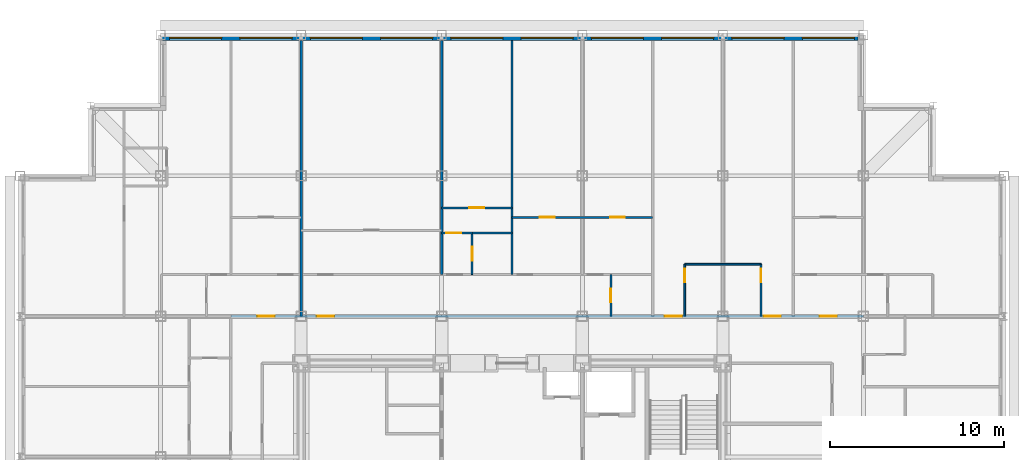
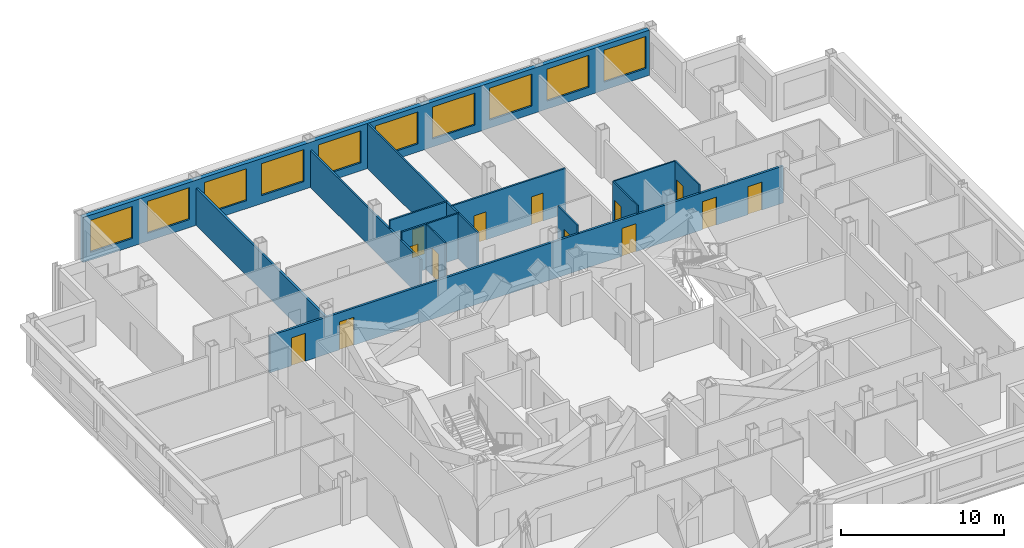
# One storey, part 10 of 12: 14 walls, 13 doors, 10 windows, 23 openings.
"""IFC4 building model written with IfcOpenShell, lengths in metres."""

import ifcopenshell
import ifcopenshell.guid

model = None  # the IFC model being written
_history = None  # IfcOwnerHistory: only IFC2X3 demands one
_inside = {}  # id of a spatial element -> (the spatial element, [elements in it])
_under = {}  # id of a project, library or spatial element -> (it, [spatial elements below it])
_declared = {}  # id of a project -> (the project, [libraries it declares])
_typed = {}  # id of a type object -> (the type object, [elements of that type])
_made_of = {}  # id of a material, layer set ... -> (it, [elements and type objects made of it])


def new_model(schema):
    """Start an empty IFC model of exactly this schema.

    Asked for "IFC4X3", IfcOpenShell would pick the latest addendum, in which some entities
    have other attributes; the version numbers below select the first issue.
    IFC2X3 requires an IfcOwnerHistory on every rooted entity: one is made here for all.
    """
    global model, _history
    if schema == "IFC4X3":
        model = ifcopenshell.file(schema_version=(4, 3, 0, 0))
    else:
        model = ifcopenshell.file(schema=schema)
    _inside.clear()
    _under.clear()
    _declared.clear()
    _typed.clear()
    _made_of.clear()
    _history = None
    if model.schema == "IFC2X3":
        org = make("IfcOrganization", Name="unknown")
        user = make(
            "IfcPersonAndOrganization",
            ThePerson=make("IfcPerson", FamilyName="unknown"),
            TheOrganization=org,
        )
        app = make(
            "IfcApplication",
            ApplicationDeveloper=org,
            Version="unknown",
            ApplicationFullName="unknown",
            ApplicationIdentifier="unknown",
        )
        _history = make(
            "IfcOwnerHistory",
            OwningUser=user,
            OwningApplication=app,
            ChangeAction="ADDED",
            CreationDate=0,
        )
    return model


def make(cls, **values):
    """One entity of the class cls with the attributes given. An attribute that is None is left unset."""
    return model.create_entity(
        cls, **{name: value for name, value in values.items() if value is not None}
    )


def rooted(cls, **values):
    """An entity with a GlobalId (a new one), such as an element, a storey or a relation."""
    return make(cls, GlobalId=ifcopenshell.guid.new(), OwnerHistory=_history, **values)


def si_unit(unit_type, name, prefix=None):
    """IfcSIUnit, for example si_unit("LENGTHUNIT", "METRE", prefix="MILLI")."""
    return make("IfcSIUnit", UnitType=unit_type, Prefix=prefix, Name=name)


def assignment(units):
    """IfcUnitAssignment: the units of a project."""
    return None if units is None else make("IfcUnitAssignment", Units=units)


def point(xyz):
    """IfcCartesianPoint."""
    return None if xyz is None else make("IfcCartesianPoint", Coordinates=xyz)


def direction(xyz):
    """IfcDirection."""
    return None if xyz is None else make("IfcDirection", DirectionRatios=xyz)


def frame(location, z_axis=None, x_axis=None):
    """IfcAxis2Placement3D, a coordinate frame: its origin and axes. An axis left out is left unset."""
    return make(
        "IfcAxis2Placement3D",
        Location=point(location),
        Axis=direction(z_axis),
        RefDirection=direction(x_axis),
    )


def frame_2d(location, x_axis=None):
    """IfcAxis2Placement2D, a coordinate frame in the plane: its origin and x axis."""
    return make(
        "IfcAxis2Placement2D", Location=point(location), RefDirection=direction(x_axis)
    )


def origin():
    """The frame at (0, 0, 0) with its axes left unset."""
    return frame((0.0, 0.0, 0.0))


def place(relative_to, where):
    """IfcLocalPlacement: puts the frame where relative to a parent placement (None: the world)."""
    return make(
        "IfcLocalPlacement", PlacementRelTo=relative_to, RelativePlacement=where
    )


def context(
    kind, dimensions, precision=None, world=None, true_north=None, identifier=None
):
    """IfcGeometricRepresentationContext, for example the 3D "Model" context."""
    return make(
        "IfcGeometricRepresentationContext",
        ContextIdentifier=identifier,
        ContextType=kind,
        CoordinateSpaceDimension=dimensions,
        Precision=precision,
        WorldCoordinateSystem=world,
        TrueNorth=true_north,
    )


def subcontext(parent, identifier, kind, view, scale=None):
    """IfcGeometricRepresentationSubContext, for example "Body" below "Model"."""
    return make(
        "IfcGeometricRepresentationSubContext",
        ContextIdentifier=identifier,
        ContextType=kind,
        ParentContext=parent,
        TargetScale=scale,
        TargetView=view,
    )


def project(units=None, contexts=None):
    """IfcProject with its units and contexts."""
    return rooted(
        "IfcProject",
        Name="project",
        RepresentationContexts=contexts,
        UnitsInContext=assignment(units),
    )


def spatial(cls, under=None, at=None, **own):
    """A site, building, storey or space (cls), placed at a placement, below another one or the project."""
    s = rooted(cls, ObjectPlacement=at, **own)
    if under is not None:
        _under.setdefault(under.id(), (under, []))[1].append(s)
    return s


def profile(cls, at=None, kind="AREA", **sizes):
    """A parametric profile (cls). Its sizes go by their IFC names, for example OverallWidth=200.0."""
    return make(cls, ProfileType=kind, Position=at, **sizes)


def rectangle(**sizes):
    """IfcRectangleProfileDef."""
    return profile("IfcRectangleProfileDef", **sizes)


def extrude(swept, where, along, depth):
    """IfcExtrudedAreaSolid: the profile swept, set in the frame where, extruded along a direction by depth."""
    return make(
        "IfcExtrudedAreaSolid",
        SweptArea=swept,
        Position=where,
        ExtrudedDirection=direction(along),
        Depth=depth,
    )


def shape(context_of_items, identifier, shape_type, items):
    """IfcShapeRepresentation: the items that make up one representation, for example the "Body"."""
    return make(
        "IfcShapeRepresentation",
        ContextOfItems=context_of_items,
        RepresentationIdentifier=identifier,
        RepresentationType=shape_type,
        Items=items,
    )


def material(Name=None, Category=None):
    """IfcMaterial."""
    return make("IfcMaterial", Name=Name, Category=Category)


def layer(
    of_material, thickness, ventilated=None, Name=None, Category=None, Priority=None
):
    """IfcMaterialLayer: one layer of a wall or slab, of a material (None: an air gap)."""
    return make(
        "IfcMaterialLayer",
        Material=of_material,
        LayerThickness=thickness,
        IsVentilated=ventilated,
        Name=Name,
        Category=Category,
        Priority=Priority,
    )


def layer_set(layers, Name=None):
    """IfcMaterialLayerSet."""
    return make("IfcMaterialLayerSet", MaterialLayers=layers, LayerSetName=Name)


def made_of(thing, what):
    """Note that an element or type object is made of a material, layer set ...; save() writes the relation."""
    if what is not None:
        _made_of.setdefault(what.id(), (what, []))[1].append(thing)
    return thing


def type_object(cls, material=None, **own):
    """A type object (cls), such as IfcWallType, which elements share."""
    return made_of(rooted(cls, **own), material)


def element(
    cls,
    number,
    at=None,
    inside=None,
    cuts=None,
    type_object=None,
    material=None,
    context=None,
    identifier="Body",
    shape_type=None,
    held_by="IfcProductDefinitionShape",
    body=None,
    shapes=None,
    **own,
):
    """One element of the class cls, such as IfcWall. Its Tag is "e" and its number.

    at: its placement. inside: the storey or other place that contains it. cuts: it is an
    opening in that element (IfcRelVoidsElement). A single representation is given by context,
    identifier, shape_type and body (its items); several are given by shapes. held_by: the class
    of the entity that holds the representations. save() writes the other relations.
    """
    e = rooted(cls, Tag="e%d" % number, ObjectPlacement=at, **own)
    if body is not None:
        shapes = [shape(context, identifier, shape_type, body)]
    if shapes is not None:
        e.Representation = make(held_by, Representations=shapes)
    if inside is not None:
        _inside.setdefault(inside.id(), (inside, []))[1].append(e)
    if cuts is not None:
        rooted(
            "IfcRelVoidsElement", RelatingBuildingElement=cuts, RelatedOpeningElement=e
        )
    if type_object is not None:
        _typed.setdefault(type_object.id(), (type_object, []))[1].append(e)
    return made_of(e, material)


def fill(opening, filler):
    """IfcRelFillsElement: the door or window that sits in an opening."""
    return rooted(
        "IfcRelFillsElement",
        RelatingOpeningElement=opening,
        RelatedBuildingElement=filler,
    )


def aggregate(whole, parts):
    """IfcRelAggregates: a whole, such as a stair, and the parts it consists of."""
    return rooted("IfcRelAggregates", RelatingObject=whole, RelatedObjects=parts)


def save(model, path):
    """Write the relations noted so far, then the file.

    IfcRelAggregates (storeys below a building ...), IfcRelContainedInSpatialStructure (elements
    in a storey), IfcRelDefinesByType, IfcRelAssociatesMaterial and IfcRelDeclares: one each for
    every whole, place, type object, material and project.
    """
    for whole, parts in _under.values():
        aggregate(whole, parts)
    for where, things in _inside.values():
        rooted(
            "IfcRelContainedInSpatialStructure",
            RelatedElements=things,
            RelatingStructure=where,
        )
    for kind, things in _typed.values():
        rooted("IfcRelDefinesByType", RelatedObjects=things, RelatingType=kind)
    for what, things in _made_of.values():
        rooted("IfcRelAssociatesMaterial", RelatedObjects=things, RelatingMaterial=what)
    for by, libraries in _declared.values():
        rooted("IfcRelDeclares", RelatingContext=by, RelatedDefinitions=libraries)
    model.write(path)


model = new_model("IFC4")

# Units and contexts
model_context = context("Model", 3, precision=1e-05, world=origin(), true_north=direction((0.0, 1.0)))
body_context = subcontext(model_context, "Body", "Model", "MODEL_VIEW")
ifc_project = project(units=[si_unit("LENGTHUNIT", "METRE"), si_unit("AREAUNIT", "SQUARE_METRE"), si_unit("VOLUMEUNIT", "CUBIC_METRE"), si_unit("PLANEANGLEUNIT", "RADIAN"), si_unit("MASSUNIT", "GRAM", prefix="KILO")], contexts=[model_context])

# Site, building, storey
site_placement = place(None, origin())
site = spatial("IfcSite", under=ifc_project, at=site_placement, CompositionType="ELEMENT")
building_placement = place(site_placement, origin())
building = spatial("IfcBuilding", under=site, at=building_placement, Name="Kopane Lantern Tower", CompositionType="ELEMENT")
storey_placement = place(building_placement, frame((0.0, 0.0, 217.199951171875)))
storey = spatial("IfcBuildingStorey", under=building, at=storey_placement, Name="L56", CompositionType="ELEMENT", Elevation=217.199951171875)

# Walls
ifc_material_1 = material(Name="Gypsum board on steel studs", Category="steel")
ifc_layer_1 = layer(ifc_material_1, 0.1201171875)
ifc_layer_set_1 = layer_set([ifc_layer_1], Name="APARTMENT INTERNAL WALL 120")
wall_type_1 = type_object("IfcWallType", Name="APARTMENT INTERNAL WALL 120", PredefinedType="PARTITIONING", material=ifc_layer_set_1)
wall_1_placement = place(storey_placement, frame((24.300048828125, 45.60009765625, 0.0), z_axis=(0.0, 0.0, 1.0), x_axis=(0.0, 1.0, 0.0)))
element("IfcWall", 1, at=wall_1_placement, inside=storey, type_object=wall_type_1, Name="Apartment Internal Wall 120 L56", PredefinedType="PARTITIONING", context=body_context, shape_type="SweptSolid", body=[
    extrude(rectangle(XDim=13.5, YDim=0.1201171875, at=frame_2d((6.75, 0.0))), origin(), (0.0, 0.0, 1.0), 2.77783203125),
])
wall_2_placement = place(storey_placement, frame((28.35009765625, 45.60009765625, 0.0), z_axis=(0.0, 0.0, 1.0), x_axis=(0.0, 1.0, 0.0)))
element("IfcWall", 2, at=wall_2_placement, inside=storey, type_object=wall_type_1, Name="Apartment Internal Wall 120 L56", PredefinedType="PARTITIONING", context=body_context, shape_type="SweptSolid", body=[
    extrude(rectangle(XDim=13.5, YDim=0.1201171875, at=frame_2d((6.75, 0.0))), origin(), (0.0, 0.0, 1.0), 3.39013671875),
])

# Wall, opening, door
wall_3_placement = place(storey_placement, frame((24.300048828125, 48.0, 0.0), z_axis=(0.0, 0.0, 1.0), x_axis=(1.0, 0.0, 0.0)))
wall_3 = element("IfcWall", 3, at=wall_3_placement, inside=storey, type_object=wall_type_1, Name="Apartment Internal Wall 120 L56", PredefinedType="PARTITIONING", context=body_context, shape_type="SweptSolid", body=[
    extrude(rectangle(XDim=1.760009765625, YDim=0.1201171875, at=frame_2d((0.8798828125, 0.0))), origin(), (0.0, 0.0, 1.0), 3.39013671875),
])
opening_1_placement = place(wall_3_placement, frame((0.27490234375, 0.0, 0.0)))
opening_1 = element("IfcOpeningElement", 4, at=opening_1_placement, cuts=wall_3, Name="Opening L56-070", PredefinedType="OPENING", context=body_context, shape_type="SweptSolid", body=[
    extrude(rectangle(XDim=0.85009765625, YDim=2.10009765625, at=frame_2d((0.425048828125, 1.050048828125))), frame((0.0, 0.070068359375, 0.0), z_axis=(0.0, -1.0, 0.0), x_axis=(1.0, 0.0, 0.0)), (0.0, 0.0, 1.0), 0.14013671875),
])
ifc_material_2 = material(Name="Timber door set", Category="wood")
door_type_1 = type_object("IfcDoorType", Name="DOOR D4 850x2100", OperationType="SINGLE_SWING_LEFT", PredefinedType="DOOR", material=ifc_material_2)
door_1_placement = place(opening_1_placement, origin())
door_1 = element("IfcDoor", 5, at=door_1_placement, inside=storey, type_object=door_type_1, Name="Door L56-070", OperationType="SINGLE_SWING_LEFT", OverallHeight=2.10009765625, OverallWidth=0.85009765625, PredefinedType="DOOR", context=body_context, shape_type="SweptSolid", body=[
    extrude(rectangle(XDim=0.85009765625, YDim=2.10009765625, at=frame_2d((0.425048828125, 1.050048828125))), frame((0.0, 0.02490234375, 0.0), z_axis=(0.0, -1.0, 0.0), x_axis=(1.0, 0.0, 0.0)), (0.0, 0.0, 1.0), 0.050048828125),
])
fill(opening_1, door_1)

wall_4_placement = place(storey_placement, frame((24.300048828125, 49.449951171875, 0.0), z_axis=(0.0, 0.0, 1.0), x_axis=(1.0, 0.0, 0.0)))
wall_4 = element("IfcWall", 6, at=wall_4_placement, inside=storey, type_object=wall_type_1, Name="Apartment Internal Wall 120 L56", PredefinedType="PARTITIONING", context=body_context, shape_type="SweptSolid", body=[
    extrude(rectangle(XDim=4.050048828125, YDim=0.1201171875, at=frame_2d((2.02490234375, 0.0))), origin(), (0.0, 0.0, 1.0), 3.39013671875),
])
opening_2_placement = place(wall_4_placement, frame((1.60009765625, 0.0, 0.0)))
opening_2 = element("IfcOpeningElement", 7, at=opening_2_placement, cuts=wall_4, Name="Opening L56-074", PredefinedType="OPENING", context=body_context, shape_type="SweptSolid", body=[
    extrude(rectangle(XDim=0.85009765625, YDim=2.10009765625, at=frame_2d((0.425048828125, 1.050048828125))), frame((0.0, 0.070068359375, 0.0), z_axis=(0.0, -1.0, 0.0), x_axis=(1.0, 0.0, 0.0)), (0.0, 0.0, 1.0), 0.14013671875),
])
door_2_placement = place(opening_2_placement, origin())
door_2 = element("IfcDoor", 8, at=door_2_placement, inside=storey, type_object=door_type_1, Name="Door L56-074", OperationType="SINGLE_SWING_RIGHT", OverallHeight=2.10009765625, OverallWidth=0.85009765625, PredefinedType="DOOR", context=body_context, shape_type="SweptSolid", body=[
    extrude(rectangle(XDim=0.85009765625, YDim=2.10009765625, at=frame_2d((0.425048828125, 1.050048828125))), frame((0.0, 0.02490234375, 0.0), z_axis=(0.0, -1.0, 0.0), x_axis=(1.0, 0.0, 0.0)), (0.0, 0.0, 1.0), 0.050048828125),
])
fill(opening_2, door_2)

# Wall, openings, doors
wall_5_placement = place(storey_placement, frame((28.35009765625, 48.89990234375, 0.0), z_axis=(0.0, 0.0, 1.0), x_axis=(1.0, 0.0, 0.0)))
wall_5 = element("IfcWall", 9, at=wall_5_placement, inside=storey, type_object=wall_type_1, Name="Apartment Internal Wall 120 L56", PredefinedType="PARTITIONING", context=body_context, shape_type="SweptSolid", body=[
    extrude(rectangle(XDim=8.099853515625, YDim=0.1201171875, at=frame_2d((4.0498046875, 0.0))), origin(), (0.0, 0.0, 1.0), 3.39013671875),
])
opening_3_placement = place(wall_5_placement, frame((1.60009765625, 0.0, 0.0)))
opening_3 = element("IfcOpeningElement", 10, at=opening_3_placement, cuts=wall_5, Name="Opening L56-075", PredefinedType="OPENING", context=body_context, shape_type="SweptSolid", body=[
    extrude(rectangle(XDim=0.85009765625, YDim=2.10009765625, at=frame_2d((0.425048828125, 1.050048828125))), frame((0.0, 0.070068359375, 0.0), z_axis=(0.0, -1.0, 0.0), x_axis=(1.0, 0.0, 0.0)), (0.0, 0.0, 1.0), 0.14013671875),
])
opening_4_placement = place(wall_5_placement, frame((5.64990234375, 0.0, 0.0)))
opening_4 = element("IfcOpeningElement", 11, at=opening_4_placement, cuts=wall_5, Name="Opening L56-076", PredefinedType="OPENING", context=body_context, shape_type="SweptSolid", body=[
    extrude(rectangle(XDim=0.85009765625, YDim=2.10009765625, at=frame_2d((0.425048828125, 1.050048828125))), frame((0.0, 0.070068359375, 0.0), z_axis=(0.0, -1.0, 0.0), x_axis=(1.0, 0.0, 0.0)), (0.0, 0.0, 1.0), 0.14013671875),
])
door_3_placement = place(opening_3_placement, origin())
door_3 = element("IfcDoor", 12, at=door_3_placement, inside=storey, type_object=door_type_1, Name="Door L56-075", OperationType="SINGLE_SWING_RIGHT", OverallHeight=2.10009765625, OverallWidth=0.85009765625, PredefinedType="DOOR", context=body_context, shape_type="SweptSolid", body=[
    extrude(rectangle(XDim=0.85009765625, YDim=2.10009765625, at=frame_2d((0.425048828125, 1.050048828125))), frame((0.0, 0.02490234375, 0.0), z_axis=(0.0, -1.0, 0.0), x_axis=(1.0, 0.0, 0.0)), (0.0, 0.0, 1.0), 0.050048828125),
])
fill(opening_3, door_3)
door_4_placement = place(opening_4_placement, origin())
door_4 = element("IfcDoor", 13, at=door_4_placement, inside=storey, type_object=door_type_1, Name="Door L56-076", OperationType="SINGLE_SWING_LEFT", OverallHeight=2.10009765625, OverallWidth=0.85009765625, PredefinedType="DOOR", context=body_context, shape_type="SweptSolid", body=[
    extrude(rectangle(XDim=0.85009765625, YDim=2.10009765625, at=frame_2d((0.425048828125, 1.050048828125))), frame((0.0, 0.02490234375, 0.0), z_axis=(0.0, -1.0, 0.0), x_axis=(1.0, 0.0, 0.0)), (0.0, 0.0, 1.0), 0.050048828125),
])
fill(opening_4, door_4)

# Wall, opening, door
ifc_material_3 = material(Name="Moisture-resistant board on steel studs", Category="steel")
ifc_layer_2 = layer(ifc_material_3, 0.10009765625)
ifc_layer_set_2 = layer_set([ifc_layer_2], Name="BATHROOM WALL 100")
wall_type_2 = type_object("IfcWallType", Name="BATHROOM WALL 100", PredefinedType="PARTITIONING", material=ifc_layer_set_2)
wall_6_placement = place(storey_placement, frame((34.050048828125, 43.199951171875, 0.0), z_axis=(0.0, 0.0, 1.0), x_axis=(0.0, 1.0, 0.0)))
wall_6 = element("IfcWall", 14, at=wall_6_placement, inside=storey, type_object=wall_type_2, Name="Bathroom Wall 100 L56", PredefinedType="PARTITIONING", context=body_context, shape_type="SweptSolid", body=[
    extrude(rectangle(XDim=2.400146484375, YDim=0.10009765625, at=frame_2d((1.2001953125, 0.0))), origin(), (0.0, 0.0, 1.0), 3.39013671875),
])
opening_5_placement = place(wall_6_placement, frame((0.800048828125, 0.0, 0.0)))
opening_5 = element("IfcOpeningElement", 15, at=opening_5_placement, cuts=wall_6, Name="Opening L56-024", PredefinedType="OPENING", context=body_context, shape_type="SweptSolid", body=[
    extrude(rectangle(XDim=0.800048828125, YDim=2.10009765625, at=frame_2d((0.39990234375, 1.050048828125))), frame((0.0, 0.06005859375, 0.0), z_axis=(0.0, -1.0, 0.0), x_axis=(1.0, 0.0, 0.0)), (0.0, 0.0, 1.0), 0.1201171875),
])
ifc_material_4 = material(Name="Timber door set", Category="wood")
door_type_2 = type_object("IfcDoorType", Name="DOOR D2 800x2100", OperationType="SINGLE_SWING_LEFT", PredefinedType="DOOR", material=ifc_material_4)
door_5_placement = place(opening_5_placement, origin())
door_5 = element("IfcDoor", 16, at=door_5_placement, inside=storey, type_object=door_type_2, Name="Door L56-024", OperationType="SINGLE_SWING_RIGHT", OverallHeight=2.10009765625, OverallWidth=0.800048828125, PredefinedType="DOOR", context=body_context, shape_type="SweptSolid", body=[
    extrude(rectangle(XDim=0.800048828125, YDim=2.10009765625, at=frame_2d((0.39990234375, 1.050048828125))), frame((0.0, 0.02490234375, 0.0), z_axis=(0.0, -1.0, 0.0), x_axis=(1.0, 0.0, 0.0)), (0.0, 0.0, 1.0), 0.050048828125),
])
fill(opening_5, door_5)

wall_7_placement = place(storey_placement, frame((26.050048828125, 45.60009765625, 0.0), z_axis=(0.0, 0.0, 1.0), x_axis=(0.0, 1.0, 0.0)))
wall_7 = element("IfcWall", 17, at=wall_7_placement, inside=storey, type_object=wall_type_2, Name="Bathroom Wall 100 L56", PredefinedType="PARTITIONING", context=body_context, shape_type="SweptSolid", body=[
    extrude(rectangle(XDim=2.39990234375, YDim=0.10009765625, at=frame_2d((1.199951171875, 0.0))), origin(), (0.0, 0.0, 1.0), 3.39013671875),
])
opening_6_placement = place(wall_7_placement, frame((0.800048828125, 0.0, 0.0)))
opening_6 = element("IfcOpeningElement", 18, at=opening_6_placement, cuts=wall_7, Name="Opening L56-027", PredefinedType="OPENING", context=body_context, shape_type="SweptSolid", body=[
    extrude(rectangle(XDim=0.800048828125, YDim=2.10009765625, at=frame_2d((0.39990234375, 1.050048828125))), frame((0.0, 0.06005859375, 0.0), z_axis=(0.0, -1.0, 0.0), x_axis=(1.0, 0.0, 0.0)), (0.0, 0.0, 1.0), 0.1201171875),
])
door_6_placement = place(opening_6_placement, origin())
door_6 = element("IfcDoor", 19, at=door_6_placement, inside=storey, type_object=door_type_2, Name="Door L56-027", OperationType="SINGLE_SWING_RIGHT", OverallHeight=2.10009765625, OverallWidth=0.800048828125, PredefinedType="DOOR", context=body_context, shape_type="SweptSolid", body=[
    extrude(rectangle(XDim=0.800048828125, YDim=2.10009765625, at=frame_2d((0.39990234375, 1.050048828125))), frame((0.0, 0.02490234375, 0.0), z_axis=(0.0, -1.0, 0.0), x_axis=(1.0, 0.0, 0.0)), (0.0, 0.0, 1.0), 0.050048828125),
])
fill(opening_6, door_6)

# Walls
wall_8_placement = place(storey_placement, frame((26.050048828125, 48.0, 0.0), z_axis=(0.0, 0.0, 1.0), x_axis=(1.0, 0.0, 0.0)))
element("IfcWall", 20, at=wall_8_placement, inside=storey, type_object=wall_type_2, Name="Bathroom Wall 100 L56", PredefinedType="PARTITIONING", context=body_context, shape_type="SweptSolid", body=[
    extrude(rectangle(XDim=2.300048828125, YDim=0.10009765625, at=frame_2d((1.14990234375, 0.0))), origin(), (0.0, 0.0, 1.0), 3.39013671875),
])
wall_9_placement = place(storey_placement, frame((38.300048828125, 46.199951171875, 0.0), z_axis=(0.0, 0.0, 1.0), x_axis=(1.0, 0.0, 0.0)))
element("IfcWall", 21, at=wall_9_placement, inside=storey, type_object=wall_type_2, Name="Bathroom Wall 100 L56", PredefinedType="PARTITIONING", context=body_context, shape_type="SweptSolid", body=[
    extrude(rectangle(XDim=4.39990234375, YDim=0.10009765625, at=frame_2d((2.199951171875, 0.0))), origin(), (0.0, 0.0, 1.0), 3.39013671875),
])

# Wall, opening, door
wall_10_placement = place(storey_placement, frame((38.300048828125, 43.199951171875, 0.0), z_axis=(0.0, 0.0, 1.0), x_axis=(0.0, 1.0, 0.0)))
wall_10 = element("IfcWall", 22, at=wall_10_placement, inside=storey, type_object=wall_type_2, Name="Bathroom Wall 100 L56", PredefinedType="PARTITIONING", context=body_context, shape_type="SweptSolid", body=[
    extrude(rectangle(XDim=3.0, YDim=0.10009765625, at=frame_2d((1.5, 0.0))), origin(), (0.0, 0.0, 1.0), 3.39013671875),
])
opening_7_placement = place(wall_10_placement, frame((1.949951171875, 0.0, 0.0)))
opening_7 = element("IfcOpeningElement", 23, at=opening_7_placement, cuts=wall_10, Name="Opening L56-031", PredefinedType="OPENING", context=body_context, shape_type="SweptSolid", body=[
    extrude(rectangle(XDim=0.800048828125, YDim=2.10009765625, at=frame_2d((0.39990234375, 1.050048828125))), frame((0.0, 0.06005859375, 0.0), z_axis=(0.0, -1.0, 0.0), x_axis=(1.0, 0.0, 0.0)), (0.0, 0.0, 1.0), 0.1201171875),
])
door_7_placement = place(opening_7_placement, origin())
door_7 = element("IfcDoor", 24, at=door_7_placement, inside=storey, type_object=door_type_2, Name="Door L56-031", OperationType="SINGLE_SWING_LEFT", OverallHeight=2.10009765625, OverallWidth=0.800048828125, PredefinedType="DOOR", context=body_context, shape_type="SweptSolid", body=[
    extrude(rectangle(XDim=0.800048828125, YDim=2.10009765625, at=frame_2d((0.39990234375, 1.050048828125))), frame((0.0, 0.02490234375, 0.0), z_axis=(0.0, -1.0, 0.0), x_axis=(1.0, 0.0, 0.0)), (0.0, 0.0, 1.0), 0.050048828125),
])
fill(opening_7, door_7)

wall_11_placement = place(storey_placement, frame((42.699951171875, 43.199951171875, 0.0), z_axis=(0.0, 0.0, 1.0), x_axis=(0.0, 1.0, 0.0)))
wall_11 = element("IfcWall", 25, at=wall_11_placement, inside=storey, type_object=wall_type_2, Name="Bathroom Wall 100 L56", PredefinedType="PARTITIONING", context=body_context, shape_type="SweptSolid", body=[
    extrude(rectangle(XDim=3.0, YDim=0.10009765625, at=frame_2d((1.5, 0.0))), origin(), (0.0, 0.0, 1.0), 3.39013671875),
])
opening_8_placement = place(wall_11_placement, frame((1.949951171875, 0.0, 0.0)))
opening_8 = element("IfcOpeningElement", 26, at=opening_8_placement, cuts=wall_11, Name="Opening L56-033", PredefinedType="OPENING", context=body_context, shape_type="SweptSolid", body=[
    extrude(rectangle(XDim=0.800048828125, YDim=2.10009765625, at=frame_2d((0.39990234375, 1.050048828125))), frame((0.0, 0.06005859375, 0.0), z_axis=(0.0, -1.0, 0.0), x_axis=(1.0, 0.0, 0.0)), (0.0, 0.0, 1.0), 0.1201171875),
])
door_8_placement = place(opening_8_placement, origin())
door_8 = element("IfcDoor", 27, at=door_8_placement, inside=storey, type_object=door_type_2, Name="Door L56-033", OperationType="SINGLE_SWING_RIGHT", OverallHeight=2.10009765625, OverallWidth=0.800048828125, PredefinedType="DOOR", context=body_context, shape_type="SweptSolid", body=[
    extrude(rectangle(XDim=0.800048828125, YDim=2.10009765625, at=frame_2d((0.39990234375, 1.050048828125))), frame((0.0, 0.02490234375, 0.0), z_axis=(0.0, -1.0, 0.0), x_axis=(1.0, 0.0, 0.0)), (0.0, 0.0, 1.0), 0.050048828125),
])
fill(opening_8, door_8)

# Wall, openings, doors
ifc_material_5 = material(Name="Gypsum board on steel studs", Category="steel")
ifc_layer_3 = layer(ifc_material_5, 0.14990234375)
ifc_layer_set_3 = layer_set([ifc_layer_3], Name="CORRIDOR WALL 150 EI 60")
wall_type_3 = type_object("IfcWallType", Name="CORRIDOR WALL 150 EI 60", PredefinedType="PARTITIONING", material=ifc_layer_set_3)
wall_12_placement = place(storey_placement, frame((12.14990234375, 43.199951171875, 0.0), z_axis=(0.0, 0.0, 1.0), x_axis=(1.0, 0.0, 0.0)))
wall_12 = element("IfcWall", 28, at=wall_12_placement, inside=storey, type_object=wall_type_3, Name="Corridor Wall 150 Ei 60 L56", PredefinedType="PARTITIONING", context=body_context, shape_type="SweptSolid", body=[
    extrude(rectangle(XDim=36.4501953125, YDim=0.14990234375, at=frame_2d((18.22509765625, 0.0))), origin(), (0.0, 0.0, 1.0), 2.77783203125),
])
opening_9_placement = place(wall_12_placement, frame((4.949951171875, 0.0, 0.0)))
opening_9 = element("IfcOpeningElement", 29, at=opening_9_placement, cuts=wall_12, Name="Opening L56-025", PredefinedType="OPENING", context=body_context, shape_type="SweptSolid", body=[
    extrude(rectangle(XDim=1.0, YDim=2.10009765625, at=frame_2d((0.5, 1.050048828125))), frame((0.0, 0.0849609375, 0.0), z_axis=(0.0, -1.0, 0.0), x_axis=(1.0, 0.0, 0.0)), (0.0, 0.0, 1.0), 0.169921875),
])
opening_10_placement = place(wall_12_placement, frame((25.0, 0.0, 0.0)))
opening_10 = element("IfcOpeningElement", 30, at=opening_10_placement, cuts=wall_12, Name="Opening L56-032", PredefinedType="OPENING", context=body_context, shape_type="SweptSolid", body=[
    extrude(rectangle(XDim=1.0, YDim=2.10009765625, at=frame_2d((0.5, 1.050048828125))), frame((0.0, 0.0849609375, 0.0), z_axis=(0.0, -1.0, 0.0), x_axis=(1.0, 0.0, 0.0)), (0.0, 0.0, 1.0), 0.169921875),
])
opening_11_placement = place(wall_12_placement, frame((30.699951171875, 0.0, 0.0)))
opening_11 = element("IfcOpeningElement", 31, at=opening_11_placement, cuts=wall_12, Name="Opening L56-034", PredefinedType="OPENING", context=body_context, shape_type="SweptSolid", body=[
    extrude(rectangle(XDim=1.0, YDim=2.10009765625, at=frame_2d((0.5, 1.050048828125))), frame((0.0, 0.0849609375, 0.0), z_axis=(0.0, -1.0, 0.0), x_axis=(1.0, 0.0, 0.0)), (0.0, 0.0, 1.0), 0.169921875),
])
opening_12_placement = place(wall_12_placement, frame((33.925048828125, 0.0, 0.0)))
opening_12 = element("IfcOpeningElement", 32, at=opening_12_placement, cuts=wall_12, Name="Opening L56-061", PredefinedType="OPENING", context=body_context, shape_type="SweptSolid", body=[
    extrude(rectangle(XDim=1.0, YDim=2.10009765625, at=frame_2d((0.5, 1.050048828125))), frame((0.0, 0.0849609375, 0.0), z_axis=(0.0, -1.0, 0.0), x_axis=(1.0, 0.0, 0.0)), (0.0, 0.0, 1.0), 0.169921875),
])
opening_13_placement = place(wall_12_placement, frame((1.52490234375, 0.0, 0.0)))
opening_13 = element("IfcOpeningElement", 33, at=opening_13_placement, cuts=wall_12, Name="Opening L56-065", PredefinedType="OPENING", context=body_context, shape_type="SweptSolid", body=[
    extrude(rectangle(XDim=1.0, YDim=2.10009765625, at=frame_2d((0.5, 1.050048828125))), frame((0.0, 0.0849609375, 0.0), z_axis=(0.0, -1.0, 0.0), x_axis=(1.0, 0.0, 0.0)), (0.0, 0.0, 1.0), 0.169921875),
])
ifc_material_6 = material(Name="Steel door set", Category="steel")
door_type_3 = type_object("IfcDoorType", Name="DOOR D3 1000x2100 FD30S", OperationType="SINGLE_SWING_LEFT", PredefinedType="DOOR", material=ifc_material_6)
door_9_placement = place(opening_9_placement, origin())
door_9 = element("IfcDoor", 34, at=door_9_placement, inside=storey, type_object=door_type_3, Name="Door L56-025", OperationType="SINGLE_SWING_LEFT", OverallHeight=2.10009765625, OverallWidth=1.0, PredefinedType="DOOR", context=body_context, shape_type="SweptSolid", body=[
    extrude(rectangle(XDim=1.0, YDim=2.10009765625, at=frame_2d((0.5, 1.050048828125))), frame((0.0, 0.02490234375, 0.0), z_axis=(0.0, -1.0, 0.0), x_axis=(1.0, 0.0, 0.0)), (0.0, 0.0, 1.0), 0.050048828125),
])
fill(opening_9, door_9)
door_10_placement = place(opening_10_placement, origin())
door_10 = element("IfcDoor", 35, at=door_10_placement, inside=storey, type_object=door_type_3, Name="Door L56-032", OperationType="SINGLE_SWING_RIGHT", OverallHeight=2.10009765625, OverallWidth=1.0, PredefinedType="DOOR", context=body_context, shape_type="SweptSolid", body=[
    extrude(rectangle(XDim=1.0, YDim=2.10009765625, at=frame_2d((0.5, 1.050048828125))), frame((0.0, 0.02490234375, 0.0), z_axis=(0.0, -1.0, 0.0), x_axis=(1.0, 0.0, 0.0)), (0.0, 0.0, 1.0), 0.050048828125),
])
fill(opening_10, door_10)
door_11_placement = place(opening_11_placement, origin())
door_11 = element("IfcDoor", 36, at=door_11_placement, inside=storey, type_object=door_type_3, Name="Door L56-034", OperationType="SINGLE_SWING_LEFT", OverallHeight=2.10009765625, OverallWidth=1.0, PredefinedType="DOOR", context=body_context, shape_type="SweptSolid", body=[
    extrude(rectangle(XDim=1.0, YDim=2.10009765625, at=frame_2d((0.5, 1.050048828125))), frame((0.0, 0.02490234375, 0.0), z_axis=(0.0, -1.0, 0.0), x_axis=(1.0, 0.0, 0.0)), (0.0, 0.0, 1.0), 0.050048828125),
])
fill(opening_11, door_11)
door_12_placement = place(opening_12_placement, origin())
door_12 = element("IfcDoor", 37, at=door_12_placement, inside=storey, type_object=door_type_3, Name="Door L56-061", OperationType="SINGLE_SWING_LEFT", OverallHeight=2.10009765625, OverallWidth=1.0, PredefinedType="DOOR", context=body_context, shape_type="SweptSolid", body=[
    extrude(rectangle(XDim=1.0, YDim=2.10009765625, at=frame_2d((0.5, 1.050048828125))), frame((0.0, 0.02490234375, 0.0), z_axis=(0.0, -1.0, 0.0), x_axis=(1.0, 0.0, 0.0)), (0.0, 0.0, 1.0), 0.050048828125),
])
fill(opening_12, door_12)
door_13_placement = place(opening_13_placement, origin())
door_13 = element("IfcDoor", 38, at=door_13_placement, inside=storey, type_object=door_type_3, Name="Door L56-065", OperationType="SINGLE_SWING_RIGHT", OverallHeight=2.10009765625, OverallWidth=1.0, PredefinedType="DOOR", context=body_context, shape_type="SweptSolid", body=[
    extrude(rectangle(XDim=1.0, YDim=2.10009765625, at=frame_2d((0.5, 1.050048828125))), frame((0.0, 0.02490234375, 0.0), z_axis=(0.0, -1.0, 0.0), x_axis=(1.0, 0.0, 0.0)), (0.0, 0.0, 1.0), 0.050048828125),
])
fill(opening_13, door_13)

# Wall
ifc_material_7 = material(Name="Gypsum board on steel studs", Category="steel")
ifc_layer_4 = layer(ifc_material_7, 0.14990234375)
ifc_layer_set_4 = layer_set([ifc_layer_4], Name="DEMISING WALL 150 EI 60")
wall_type_4 = type_object("IfcWallType", Name="DEMISING WALL 150 EI 60", PredefinedType="PARTITIONING", material=ifc_layer_set_4)
wall_13_placement = place(storey_placement, frame((16.199951171875, 43.199951171875, 0.0), z_axis=(0.0, 0.0, 1.0), x_axis=(0.0, 1.0, 0.0)))
element("IfcWall", 39, at=wall_13_placement, inside=storey, type_object=wall_type_4, Name="Demising Wall 150 Ei 60 L56", PredefinedType="PARTITIONING", context=body_context, shape_type="SweptSolid", body=[
    extrude(rectangle(XDim=15.900146484375, YDim=0.14990234375, at=frame_2d((7.9501953125, 0.0))), origin(), (0.0, 0.0, 1.0), 2.77783203125),
])

# Wall, openings, windows
ifc_material_8 = material(Name="Terracotta rainscreen on light steel framing", Category="masonry")
ifc_layer_5 = layer(ifc_material_8, 0.300048828125)
ifc_layer_set_5 = layer_set([ifc_layer_5], Name="EXTERNAL WALL EW1 300 TERRACOTTA")
wall_type_5 = type_object("IfcWallType", Name="EXTERNAL WALL EW1 300 TERRACOTTA", PredefinedType="SOLIDWALL", material=ifc_layer_set_5)
wall_14_placement = place(storey_placement, frame((48.300048828125, 59.25, 0.0), z_axis=(0.0, 0.0, 1.0), x_axis=(-1.0, 0.0, 0.0)))
wall_14 = element("IfcWall", 40, at=wall_14_placement, inside=storey, type_object=wall_type_5, Name="External wall N L56", PredefinedType="SOLIDWALL", context=body_context, shape_type="SweptSolid", body=[
    extrude(rectangle(XDim=40.199951171875, YDim=0.300048828125, at=frame_2d((20.10009765625, 0.0))), origin(), (0.0, 0.0, 1.0), 3.39013671875),
])
opening_14_placement = place(wall_14_placement, frame((0.22509765625, 0.0, 0.60009765625)))
opening_14 = element("IfcOpeningElement", 41, at=opening_14_placement, cuts=wall_14, Name="Opening WR300240", PredefinedType="OPENING", context=body_context, shape_type="SweptSolid", body=[
    extrude(rectangle(XDim=3.0, YDim=2.39990234375, at=frame_2d((1.5, 1.199951171875))), frame((0.0, 0.159912109375, 0.0), z_axis=(0.0, -1.0, 0.0), x_axis=(1.0, 0.0, 0.0)), (0.0, 0.0, 1.0), 0.320068359375),
])
opening_15_placement = place(wall_14_placement, frame((4.27490234375, 0.0, 0.60009765625)))
opening_15 = element("IfcOpeningElement", 42, at=opening_15_placement, cuts=wall_14, Name="Opening WR300240", PredefinedType="OPENING", context=body_context, shape_type="SweptSolid", body=[
    extrude(rectangle(XDim=3.0, YDim=2.39990234375, at=frame_2d((1.5, 1.199951171875))), frame((0.0, 0.159912109375, 0.0), z_axis=(0.0, -1.0, 0.0), x_axis=(1.0, 0.0, 0.0)), (0.0, 0.0, 1.0), 0.320068359375),
])
opening_16_placement = place(wall_14_placement, frame((8.324951171875, 0.0, 0.60009765625)))
opening_16 = element("IfcOpeningElement", 43, at=opening_16_placement, cuts=wall_14, Name="Opening WR300240", PredefinedType="OPENING", context=body_context, shape_type="SweptSolid", body=[
    extrude(rectangle(XDim=3.0, YDim=2.39990234375, at=frame_2d((1.5, 1.199951171875))), frame((0.0, 0.159912109375, 0.0), z_axis=(0.0, -1.0, 0.0), x_axis=(1.0, 0.0, 0.0)), (0.0, 0.0, 1.0), 0.320068359375),
])
opening_17_placement = place(wall_14_placement, frame((12.375, 0.0, 0.60009765625)))
opening_17 = element("IfcOpeningElement", 44, at=opening_17_placement, cuts=wall_14, Name="Opening WR300240", PredefinedType="OPENING", context=body_context, shape_type="SweptSolid", body=[
    extrude(rectangle(XDim=3.0, YDim=2.39990234375, at=frame_2d((1.5, 1.199951171875))), frame((0.0, 0.159912109375, 0.0), z_axis=(0.0, -1.0, 0.0), x_axis=(1.0, 0.0, 0.0)), (0.0, 0.0, 1.0), 0.320068359375),
])
opening_18_placement = place(wall_14_placement, frame((16.425048828125, 0.0, 0.60009765625)))
opening_18 = element("IfcOpeningElement", 45, at=opening_18_placement, cuts=wall_14, Name="Opening WR300240", PredefinedType="OPENING", context=body_context, shape_type="SweptSolid", body=[
    extrude(rectangle(XDim=3.0, YDim=2.39990234375, at=frame_2d((1.5, 1.199951171875))), frame((0.0, 0.159912109375, 0.0), z_axis=(0.0, -1.0, 0.0), x_axis=(1.0, 0.0, 0.0)), (0.0, 0.0, 1.0), 0.320068359375),
])
opening_19_placement = place(wall_14_placement, frame((20.47509765625, 0.0, 0.60009765625)))
opening_19 = element("IfcOpeningElement", 46, at=opening_19_placement, cuts=wall_14, Name="Opening WR300240", PredefinedType="OPENING", context=body_context, shape_type="SweptSolid", body=[
    extrude(rectangle(XDim=3.0, YDim=2.39990234375, at=frame_2d((1.5, 1.199951171875))), frame((0.0, 0.159912109375, 0.0), z_axis=(0.0, -1.0, 0.0), x_axis=(1.0, 0.0, 0.0)), (0.0, 0.0, 1.0), 0.320068359375),
])
opening_20_placement = place(wall_14_placement, frame((24.52490234375, 0.0, 0.60009765625)))
opening_20 = element("IfcOpeningElement", 47, at=opening_20_placement, cuts=wall_14, Name="Opening WR300240", PredefinedType="OPENING", context=body_context, shape_type="SweptSolid", body=[
    extrude(rectangle(XDim=3.0, YDim=2.39990234375, at=frame_2d((1.5, 1.199951171875))), frame((0.0, 0.159912109375, 0.0), z_axis=(0.0, -1.0, 0.0), x_axis=(1.0, 0.0, 0.0)), (0.0, 0.0, 1.0), 0.320068359375),
])
opening_21_placement = place(wall_14_placement, frame((28.574951171875, 0.0, 0.60009765625)))
opening_21 = element("IfcOpeningElement", 48, at=opening_21_placement, cuts=wall_14, Name="Opening WR300240", PredefinedType="OPENING", context=body_context, shape_type="SweptSolid", body=[
    extrude(rectangle(XDim=3.0, YDim=2.39990234375, at=frame_2d((1.5, 1.199951171875))), frame((0.0, 0.159912109375, 0.0), z_axis=(0.0, -1.0, 0.0), x_axis=(1.0, 0.0, 0.0)), (0.0, 0.0, 1.0), 0.320068359375),
])
opening_22_placement = place(wall_14_placement, frame((32.625, 0.0, 0.60009765625)))
opening_22 = element("IfcOpeningElement", 49, at=opening_22_placement, cuts=wall_14, Name="Opening WR300240", PredefinedType="OPENING", context=body_context, shape_type="SweptSolid", body=[
    extrude(rectangle(XDim=3.0, YDim=2.39990234375, at=frame_2d((1.5, 1.199951171875))), frame((0.0, 0.159912109375, 0.0), z_axis=(0.0, -1.0, 0.0), x_axis=(1.0, 0.0, 0.0)), (0.0, 0.0, 1.0), 0.320068359375),
])
opening_23_placement = place(wall_14_placement, frame((36.675048828125, 0.0, 0.60009765625)))
opening_23 = element("IfcOpeningElement", 50, at=opening_23_placement, cuts=wall_14, Name="Opening WR300240", PredefinedType="OPENING", context=body_context, shape_type="SweptSolid", body=[
    extrude(rectangle(XDim=3.0, YDim=2.39990234375, at=frame_2d((1.5, 1.199951171875))), frame((0.0, 0.159912109375, 0.0), z_axis=(0.0, -1.0, 0.0), x_axis=(1.0, 0.0, 0.0)), (0.0, 0.0, 1.0), 0.320068359375),
])
ifc_material_9 = material(Name="Aluminium and clear glass", Category="aluminium")
window_type = type_object("IfcWindowType", Name="RIBBON WINDOW WR300240 3000x2400", PartitioningType="SINGLE_PANEL", PredefinedType="WINDOW", material=ifc_material_9)
window_1_placement = place(opening_14_placement, origin())
window_1 = element("IfcWindow", 51, at=window_1_placement, inside=storey, type_object=window_type, Name="Window N L56", OverallHeight=2.39990234375, OverallWidth=3.0, PartitioningType="SINGLE_PANEL", PredefinedType="WINDOW", context=body_context, shape_type="SweptSolid", body=[
    extrude(rectangle(XDim=3.0, YDim=2.39990234375, at=frame_2d((1.5, 1.199951171875))), frame((0.0, 0.030029296875, 0.0), z_axis=(0.0, -1.0, 0.0), x_axis=(1.0, 0.0, 0.0)), (0.0, 0.0, 1.0), 0.06005859375),
])
fill(opening_14, window_1)
window_2_placement = place(opening_15_placement, origin())
window_2 = element("IfcWindow", 52, at=window_2_placement, inside=storey, type_object=window_type, Name="Window N L56", OverallHeight=2.39990234375, OverallWidth=3.0, PartitioningType="SINGLE_PANEL", PredefinedType="WINDOW", context=body_context, shape_type="SweptSolid", body=[
    extrude(rectangle(XDim=3.0, YDim=2.39990234375, at=frame_2d((1.5, 1.199951171875))), frame((0.0, 0.030029296875, 0.0), z_axis=(0.0, -1.0, 0.0), x_axis=(1.0, 0.0, 0.0)), (0.0, 0.0, 1.0), 0.06005859375),
])
fill(opening_15, window_2)
window_3_placement = place(opening_16_placement, origin())
window_3 = element("IfcWindow", 53, at=window_3_placement, inside=storey, type_object=window_type, Name="Window N L56", OverallHeight=2.39990234375, OverallWidth=3.0, PartitioningType="SINGLE_PANEL", PredefinedType="WINDOW", context=body_context, shape_type="SweptSolid", body=[
    extrude(rectangle(XDim=3.0, YDim=2.39990234375, at=frame_2d((1.5, 1.199951171875))), frame((0.0, 0.030029296875, 0.0), z_axis=(0.0, -1.0, 0.0), x_axis=(1.0, 0.0, 0.0)), (0.0, 0.0, 1.0), 0.06005859375),
])
fill(opening_16, window_3)
window_4_placement = place(opening_17_placement, origin())
window_4 = element("IfcWindow", 54, at=window_4_placement, inside=storey, type_object=window_type, Name="Window N L56", OverallHeight=2.39990234375, OverallWidth=3.0, PartitioningType="SINGLE_PANEL", PredefinedType="WINDOW", context=body_context, shape_type="SweptSolid", body=[
    extrude(rectangle(XDim=3.0, YDim=2.39990234375, at=frame_2d((1.5, 1.199951171875))), frame((0.0, 0.030029296875, 0.0), z_axis=(0.0, -1.0, 0.0), x_axis=(1.0, 0.0, 0.0)), (0.0, 0.0, 1.0), 0.06005859375),
])
fill(opening_17, window_4)
window_5_placement = place(opening_18_placement, origin())
window_5 = element("IfcWindow", 55, at=window_5_placement, inside=storey, type_object=window_type, Name="Window N L56", OverallHeight=2.39990234375, OverallWidth=3.0, PartitioningType="SINGLE_PANEL", PredefinedType="WINDOW", context=body_context, shape_type="SweptSolid", body=[
    extrude(rectangle(XDim=3.0, YDim=2.39990234375, at=frame_2d((1.5, 1.199951171875))), frame((0.0, 0.030029296875, 0.0), z_axis=(0.0, -1.0, 0.0), x_axis=(1.0, 0.0, 0.0)), (0.0, 0.0, 1.0), 0.06005859375),
])
fill(opening_18, window_5)
window_6_placement = place(opening_19_placement, origin())
window_6 = element("IfcWindow", 56, at=window_6_placement, inside=storey, type_object=window_type, Name="Window N L56", OverallHeight=2.39990234375, OverallWidth=3.0, PartitioningType="SINGLE_PANEL", PredefinedType="WINDOW", context=body_context, shape_type="SweptSolid", body=[
    extrude(rectangle(XDim=3.0, YDim=2.39990234375, at=frame_2d((1.5, 1.199951171875))), frame((0.0, 0.030029296875, 0.0), z_axis=(0.0, -1.0, 0.0), x_axis=(1.0, 0.0, 0.0)), (0.0, 0.0, 1.0), 0.06005859375),
])
fill(opening_19, window_6)
window_7_placement = place(opening_20_placement, origin())
window_7 = element("IfcWindow", 57, at=window_7_placement, inside=storey, type_object=window_type, Name="Window N L56", OverallHeight=2.39990234375, OverallWidth=3.0, PartitioningType="SINGLE_PANEL", PredefinedType="WINDOW", context=body_context, shape_type="SweptSolid", body=[
    extrude(rectangle(XDim=3.0, YDim=2.39990234375, at=frame_2d((1.5, 1.199951171875))), frame((0.0, 0.030029296875, 0.0), z_axis=(0.0, -1.0, 0.0), x_axis=(1.0, 0.0, 0.0)), (0.0, 0.0, 1.0), 0.06005859375),
])
fill(opening_20, window_7)
window_8_placement = place(opening_21_placement, origin())
window_8 = element("IfcWindow", 58, at=window_8_placement, inside=storey, type_object=window_type, Name="Window N L56", OverallHeight=2.39990234375, OverallWidth=3.0, PartitioningType="SINGLE_PANEL", PredefinedType="WINDOW", context=body_context, shape_type="SweptSolid", body=[
    extrude(rectangle(XDim=3.0, YDim=2.39990234375, at=frame_2d((1.5, 1.199951171875))), frame((0.0, 0.030029296875, 0.0), z_axis=(0.0, -1.0, 0.0), x_axis=(1.0, 0.0, 0.0)), (0.0, 0.0, 1.0), 0.06005859375),
])
fill(opening_21, window_8)
window_9_placement = place(opening_22_placement, origin())
window_9 = element("IfcWindow", 59, at=window_9_placement, inside=storey, type_object=window_type, Name="Window N L56", OverallHeight=2.39990234375, OverallWidth=3.0, PartitioningType="SINGLE_PANEL", PredefinedType="WINDOW", context=body_context, shape_type="SweptSolid", body=[
    extrude(rectangle(XDim=3.0, YDim=2.39990234375, at=frame_2d((1.5, 1.199951171875))), frame((0.0, 0.030029296875, 0.0), z_axis=(0.0, -1.0, 0.0), x_axis=(1.0, 0.0, 0.0)), (0.0, 0.0, 1.0), 0.06005859375),
])
fill(opening_22, window_9)
window_10_placement = place(opening_23_placement, origin())
window_10 = element("IfcWindow", 60, at=window_10_placement, inside=storey, type_object=window_type, Name="Window N L56", OverallHeight=2.39990234375, OverallWidth=3.0, PartitioningType="SINGLE_PANEL", PredefinedType="WINDOW", context=body_context, shape_type="SweptSolid", body=[
    extrude(rectangle(XDim=3.0, YDim=2.39990234375, at=frame_2d((1.5, 1.199951171875))), frame((0.0, 0.030029296875, 0.0), z_axis=(0.0, -1.0, 0.0), x_axis=(1.0, 0.0, 0.0)), (0.0, 0.0, 1.0), 0.06005859375),
])
fill(opening_23, window_10)

save(model, "model.ifc")
